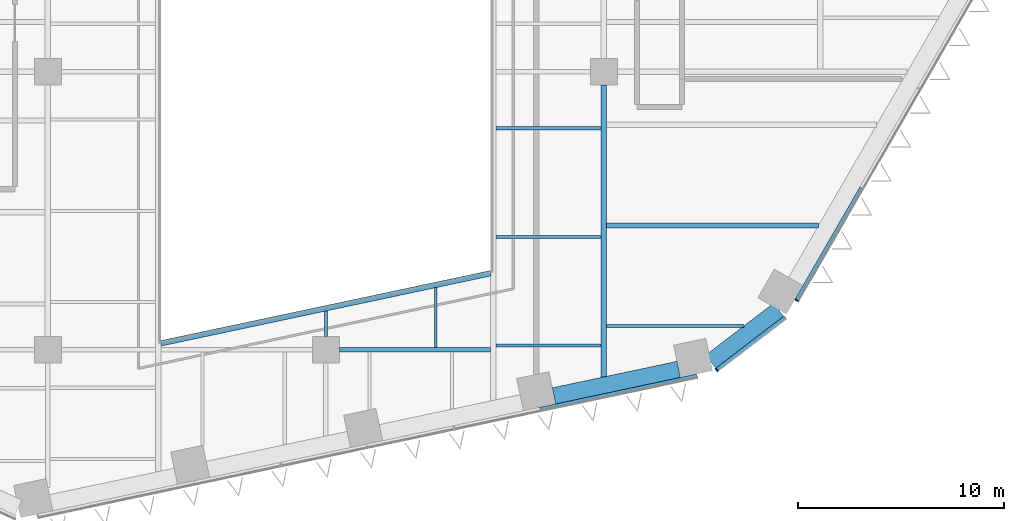
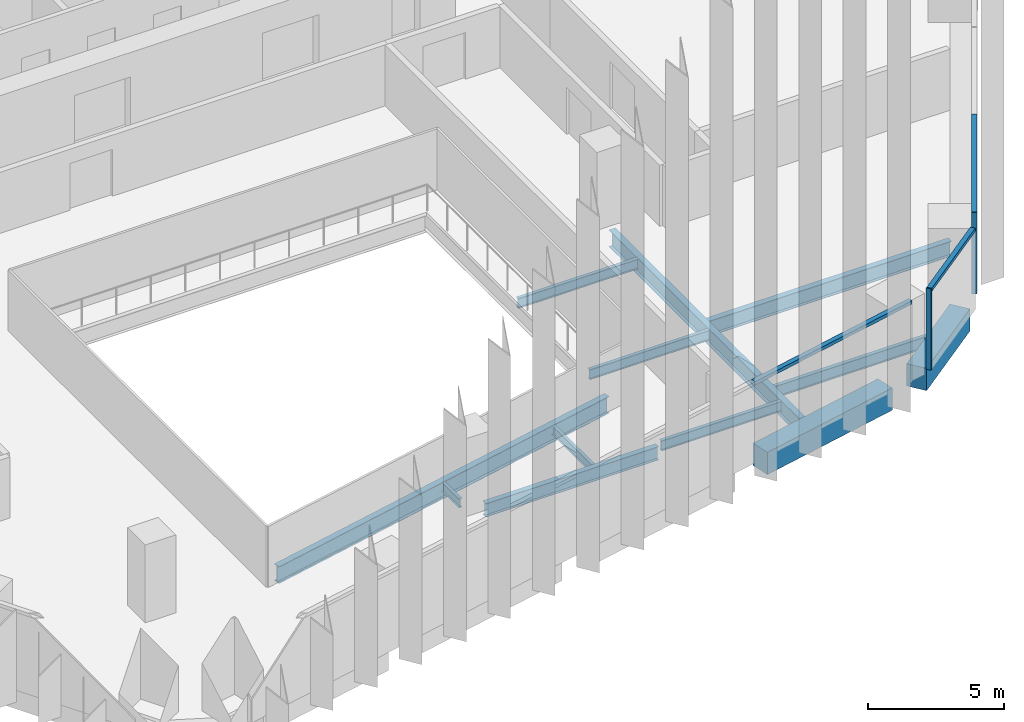
# One storey, part 5 of 24: 12 beams, 5 members, 3 elements without a shape of their own.
"""IFC4 building model written with IfcOpenShell, lengths in metres."""

from ifc_helpers import new_model, si_unit, direction, frame, origin, origin_2d, place, context, subcontext, project, spatial, rectangle, i_section, extrude, material, layer, layer_set, material_profile, profile_set, type_object, element, aggregate, save


model = new_model("IFC4")

# Units and contexts
model_context = context("Model", 3, precision=1e-05, world=origin(), true_north=direction((0.0, 1.0)))
body_context = subcontext(model_context, "Body", "Model", "MODEL_VIEW")
ifc_project = project(units=[si_unit("LENGTHUNIT", "METRE"), si_unit("AREAUNIT", "SQUARE_METRE"), si_unit("VOLUMEUNIT", "CUBIC_METRE"), si_unit("PLANEANGLEUNIT", "RADIAN"), si_unit("MASSUNIT", "GRAM", prefix="KILO")], contexts=[model_context])

# Site, building, storey
site_placement = place(None, origin())
site = spatial("IfcSite", under=ifc_project, at=site_placement, CompositionType="ELEMENT")
building_placement = place(site_placement, origin())
building = spatial("IfcBuilding", under=site, at=building_placement, Name="Isthmus Gate Tower", CompositionType="ELEMENT")
storey_placement = place(building_placement, frame((0.0, 0.0, 80.64990234375)))
storey = spatial("IfcBuildingStorey", under=building, at=storey_placement, Name="L18", CompositionType="ELEMENT", Elevation=80.64990234375)

# Curtain wall, member
ifc_material_1 = material(Name="Aluminium, pale champagne anodised", Category="aluminium")
ifc_layer = layer(ifc_material_1, 0.199951171875)
ifc_layer_set = layer_set([ifc_layer], Name="CW-1 UNITISED CURTAIN WALL 200 DEEP")
curtain_wall_type = type_object("IfcCurtainWallType", Name="CW-1 UNITISED CURTAIN WALL 200 DEEP", PredefinedType="NOTDEFINED", material=ifc_layer_set)
curtain_wall_1_placement = place(storey_placement, origin())
curtain_wall_1 = element("IfcCurtainWall", 1, at=curtain_wall_1_placement, inside=storey, type_object=curtain_wall_type, Name="CW-1 S-SE L18", PredefinedType="NOTDEFINED")
ifc_material_2 = material(Name="Aluminium, pale champagne anodised", Category="aluminium")
ifc_material_profile_1 = material_profile(ifc_material_2, rectangle(XDim=0.06005859375, YDim=0.199951171875, at=origin_2d()), Name="60x200")
ifc_profile_set_1 = profile_set([ifc_material_profile_1], Name="Aluminium, pale champagne anodised")
member_type_1 = type_object("IfcMemberType", Name="CW-1 MULLION 60 X 200", PredefinedType="MULLION", material=ifc_profile_set_1)
member_1_placement = place(storey_placement, frame((18.978759765625, -27.982421875, 0.0), z_axis=(0.0, 0.0, 1.0), x_axis=(0.794188594387, 0.607671355706, 0.0)))
member_1 = element("IfcMember", 2, at=member_1_placement, type_object=member_type_1, Name="CW-1 mullion", PredefinedType="MULLION", context=body_context, shape_type="SweptSolid", body=[
    extrude(rectangle(XDim=0.06005859375, YDim=0.199951171875, at=origin_2d()), origin(), (0.0, 0.0, 1.0), 3.650146484375),
])

curtain_wall_2_placement = place(storey_placement, origin())
curtain_wall_2 = element("IfcCurtainWall", 3, at=curtain_wall_2_placement, inside=storey, type_object=curtain_wall_type, Name="CW-1 SE L18", PredefinedType="NOTDEFINED")
member_2_placement = place(storey_placement, frame((22.863525390625, -24.599365234375, 0.0), z_axis=(0.0, 0.0, 1.0), x_axis=(0.5, 0.866025403784, 0.0)))
member_2 = element("IfcMember", 4, at=member_2_placement, type_object=member_type_1, Name="CW-1 mullion", PredefinedType="MULLION", context=body_context, shape_type="SweptSolid", body=[
    extrude(rectangle(XDim=0.06005859375, YDim=0.199951171875, at=origin_2d()), origin(), (0.0, 0.0, 1.0), 3.650146484375),
])

curtain_wall_3_placement = place(storey_placement, origin())
curtain_wall_3 = element("IfcCurtainWall", 5, at=curtain_wall_3_placement, inside=storey, type_object=curtain_wall_type, Name="CW-1 S L18", PredefinedType="NOTDEFINED")
ifc_material_3 = material(Name="Aluminium, pale champagne anodised", Category="aluminium")
ifc_material_profile_2 = material_profile(ifc_material_3, rectangle(XDim=0.199951171875, YDim=0.14990234375, at=origin_2d()), Name="200x150")
ifc_profile_set_2 = profile_set([ifc_material_profile_2], Name="Aluminium, pale champagne anodised")
member_type_2 = type_object("IfcMemberType", Name="CW-1 TRANSOM 200 X 150", PredefinedType="USERDEFINED", material=ifc_profile_set_2)
member_3_placement = place(storey_placement, frame((10.400146484375, -29.8916015625, 3.5751953125), z_axis=(0.978150565745, 0.207897741047, 0.0), x_axis=(-0.207897741047, 0.978150565745, 0.0)))
member_3 = element("IfcMember", 6, at=member_3_placement, type_object=member_type_2, Name="CW-1 transom", ObjectType="TRANSOM", PredefinedType="USERDEFINED", context=body_context, shape_type="SweptSolid", body=[
    extrude(rectangle(XDim=0.199951171875, YDim=0.14990234375, at=origin_2d()), origin(), (0.0, 0.0, 1.0), 7.789306640625),
])
aggregate(curtain_wall_3, [member_3])

# Member
member_4_placement = place(storey_placement, frame((19.002685546875, -27.96435546875, 3.5751953125), z_axis=(0.794175498212, 0.607688471209, 0.0), x_axis=(-0.607688471209, 0.794175498212, 0.0)))
member_4 = element("IfcMember", 7, at=member_4_placement, type_object=member_type_2, Name="CW-1 transom", ObjectType="TRANSOM", PredefinedType="USERDEFINED", context=body_context, shape_type="SweptSolid", body=[
    extrude(rectangle(XDim=0.199951171875, YDim=0.14990234375, at=origin_2d()), origin(), (0.0, 0.0, 1.0), 4.181396484375),
])

aggregate(curtain_wall_1, [member_1, member_4])

member_5_placement = place(storey_placement, frame((22.87841796875, -24.5732421875, 3.5751953125), z_axis=(0.50002426866, 0.866011391814, 0.0), x_axis=(-0.866011391814, 0.50002426866, 0.0)))
member_5 = element("IfcMember", 8, at=member_5_placement, type_object=member_type_2, Name="CW-1 transom", ObjectType="TRANSOM", PredefinedType="USERDEFINED", context=body_context, shape_type="SweptSolid", body=[
    extrude(rectangle(XDim=0.199951171875, YDim=0.14990234375, at=origin_2d()), origin(), (0.0, 0.0, 1.0), 6.278564453125),
])

aggregate(curtain_wall_2, [member_2, member_5])

# Beams
ifc_material_4 = material(Name="Concrete f'c 70 MPa", Category="concrete")
ifc_material_profile_3 = material_profile(ifc_material_4, rectangle(XDim=0.800048828125, YDim=1.0, at=origin_2d()), Name="RC 800X1000")
ifc_profile_set_3 = profile_set([ifc_material_profile_3], Name="Concrete f'c 70 MPa")
beam_type_1 = type_object("IfcBeamType", Name="RC SPANDREL 800 X 1000", PredefinedType="SPANDREL", material=ifc_profile_set_3)
beam_1_placement = place(storey_placement, frame((21.98681640625, -25.051513671875, -0.5), z_axis=(-0.794205941875, -0.607648682949, 0.0), x_axis=(0.607648682949, -0.794205941875, 0.0)))
element("IfcBeam", 9, at=beam_1_placement, inside=storey, type_object=beam_type_1, Name="str-spandrel-L18-09", PredefinedType="SPANDREL", context=body_context, shape_type="SweptSolid", body=[
    extrude(rectangle(XDim=0.800048828125, YDim=1.0, at=origin_2d()), origin(), (0.0, 0.0, 1.0), 4.15234375),
])
beam_2_placement = place(storey_placement, frame((17.1328125, -27.949462890625, -0.5), z_axis=(-0.978147421176, -0.207912535568, 0.0), x_axis=(0.207912535568, -0.978147421176, 0.0)))
element("IfcBeam", 10, at=beam_2_placement, inside=storey, type_object=beam_type_1, Name="str-spandrel-L18-10", PredefinedType="SPANDREL", context=body_context, shape_type="SweptSolid", body=[
    extrude(rectangle(XDim=0.800048828125, YDim=1.0, at=origin_2d()), origin(), (0.0, 0.0, 1.0), 6.189453125),
])
ifc_material_5 = material(Name="Structural steel ASTM A992 Gr 50", Category="steel")
ifc_material_profile_4 = material_profile(ifc_material_5, i_section(OverallWidth=0.1396484375, OverallDepth=0.4033203125, WebThickness=0.00634765625, FlangeThickness=0.010986328125, at=origin_2d()), Name="W16X31")
ifc_profile_set_4 = profile_set([ifc_material_profile_4], Name="Structural steel ASTM A992 Gr 50")
beam_type_2 = type_object("IfcBeamType", Name="STEEL FLOOR BEAM W16X31", PredefinedType="JOIST", material=ifc_profile_set_4)
beam_3_placement = place(storey_placement, frame((0.0, -26.35009765625, -0.3515625), z_axis=(0.0, 1.0, 0.0), x_axis=(-1.0, 0.0, 0.0)))
element("IfcBeam", 11, at=beam_3_placement, inside=storey, type_object=beam_type_2, Name="str-beam-L18-18-00", PredefinedType="JOIST", context=body_context, shape_type="SweptSolid", body=[
    extrude(i_section(OverallWidth=0.1396484375, OverallDepth=0.4033203125, WebThickness=0.00634765625, FlangeThickness=0.010986328125, at=origin_2d()), origin(), (0.0, 0.0, 1.0), 1.23388671875),
])
beam_4_placement = place(storey_placement, frame((5.333251953125, -26.8857421875, -0.3515625), z_axis=(0.0, 1.0, 0.0), x_axis=(-1.0, 0.0, 0.0)))
element("IfcBeam", 12, at=beam_4_placement, inside=storey, type_object=beam_type_2, Name="str-beam-L18-18-01", PredefinedType="JOIST", context=body_context, shape_type="SweptSolid", body=[
    extrude(i_section(OverallWidth=0.1396484375, OverallDepth=0.4033203125, WebThickness=0.00634765625, FlangeThickness=0.010986328125, at=origin_2d()), origin(), (0.0, 0.0, 1.0), 2.903076171875),
])
ifc_material_6 = material(Name="Structural steel ASTM A992 Gr 50", Category="steel")
ifc_material_profile_5 = material_profile(ifc_material_6, i_section(OverallWidth=0.15234375, OverallDepth=0.45068359375, WebThickness=0.0078125, FlangeThickness=0.010986328125, at=origin_2d()), Name="W18X35")
ifc_profile_set_5 = profile_set([ifc_material_profile_5], Name="Structural steel ASTM A992 Gr 50")
beam_type_3 = type_object("IfcBeamType", Name="STEEL FLOOR BEAM W18X35", PredefinedType="JOIST", material=ifc_profile_set_5)
for number, where, z_axis, x_axis, name in (
    (13, (8.263427734375, -26.788818359375, -0.375244140625), (1.0, 0.0, 0.0), (0.0, 1.0, 0.0), "str-beam-L18-23-00"),
    (14, (8.263427734375, -21.51513671875, -0.375244140625), (1.0, 0.0, 0.0), (0.0, 1.0, 0.0), "str-beam-L18-23-01"),
    (15, (8.263427734375, -16.241455078125, -0.375244140625), (1.0, 0.0, 0.0), (0.0, 1.0, 0.0), "str-beam-L18-23-02"),
):
    element("IfcBeam", number, at=place(storey_placement, frame(where, z_axis=z_axis, x_axis=x_axis)), inside=storey, type_object=beam_type_3, Name=name, PredefinedType="JOIST", context=body_context, shape_type="SweptSolid", body=[
        extrude(i_section(OverallWidth=0.15234375, OverallDepth=0.45068359375, WebThickness=0.0078125, FlangeThickness=0.010986328125, at=origin_2d()), origin(), (0.0, 0.0, 1.0), 5.103271484375),
    ])
ifc_material_7 = material(Name="Structural steel ASTM A992 Gr 50", Category="steel")
ifc_material_profile_6 = material_profile(ifc_material_7, i_section(OverallWidth=0.1650390625, OverallDepth=0.52392578125, WebThickness=0.009521484375, FlangeThickness=0.010986328125, at=origin_2d()), Name="W21X44")
ifc_profile_set_6 = profile_set([ifc_material_profile_6], Name="Structural steel ASTM A992 Gr 50")
beam_type_4 = type_object("IfcBeamType", Name="STEEL FLOOR BEAM W21X44", PredefinedType="JOIST", material=ifc_profile_set_6)
beam_5_placement = place(storey_placement, frame((13.63330078125, -25.842529296875, -0.411865234375), z_axis=(1.0, 0.0, 0.0), x_axis=(0.0, 1.0, 0.0)))
element("IfcBeam", 16, at=beam_5_placement, inside=storey, type_object=beam_type_4, Name="str-beam-L18-28-00", PredefinedType="JOIST", context=body_context, shape_type="SweptSolid", body=[
    extrude(i_section(OverallWidth=0.1650390625, OverallDepth=0.52392578125, WebThickness=0.009521484375, FlangeThickness=0.010986328125, at=origin_2d()), origin(), (0.0, 0.0, 1.0), 6.661376953125),
])
ifc_material_8 = material(Name="Structural steel ASTM A992 Gr 50", Category="steel")
ifc_material_profile_7 = material_profile(ifc_material_8, i_section(OverallWidth=0.25390625, OverallDepth=0.679443359375, WebThickness=0.010986328125, FlangeThickness=0.015869140625, at=origin_2d()), Name="W27X84")
ifc_profile_set_7 = profile_set([ifc_material_profile_7], Name="Structural steel ASTM A992 Gr 50")
beam_type_5 = type_object("IfcBeamType", Name="STEEL FLOOR BEAM W27X84", PredefinedType="JOIST", material=ifc_profile_set_7)
beam_6_placement = place(storey_placement, frame((13.63330078125, -20.958740234375, -0.489501953125), z_axis=(1.0, 0.0, 0.0), x_axis=(0.0, 1.0, 0.0)))
element("IfcBeam", 17, at=beam_6_placement, inside=storey, type_object=beam_type_5, Name="str-beam-L18-28-01", PredefinedType="JOIST", context=body_context, shape_type="SweptSolid", body=[
    extrude(i_section(OverallWidth=0.25390625, OverallDepth=0.679443359375, WebThickness=0.010986328125, FlangeThickness=0.015869140625, at=origin_2d()), origin(), (0.0, 0.0, 1.0), 10.292724609375),
])
ifc_material_9 = material(Name="Structural steel ASTM A992 Gr 50", Category="steel")
ifc_material_profile_8 = material_profile(ifc_material_9, i_section(OverallWidth=0.228515625, OverallDepth=0.603271484375, WebThickness=0.010986328125, FlangeThickness=0.014404296875, at=origin_2d()), Name="W24X68")
ifc_profile_set_8 = profile_set([ifc_material_profile_8], Name="Structural steel ASTM A992 Gr 50")
beam_type_6 = type_object("IfcBeamType", Name="STEEL GIRDER W24X68", PredefinedType="BEAM", material=ifc_profile_set_8)
beam_7_placement = place(storey_placement, frame((0.64990234375, -27.0, -0.451416015625), z_axis=(1.0, 0.0, 0.0), x_axis=(0.0, 1.0, 0.0)))
element("IfcBeam", 18, at=beam_7_placement, inside=storey, type_object=beam_type_6, Name="str-girder-L18-04", PredefinedType="BEAM", context=body_context, shape_type="SweptSolid", body=[
    extrude(i_section(OverallWidth=0.228515625, OverallDepth=0.603271484375, WebThickness=0.010986328125, FlangeThickness=0.014404296875, at=origin_2d()), origin(), (0.0, 0.0, 1.0), 7.35009765625),
])
ifc_material_10 = material(Name="Structural steel ASTM A992 Gr 50", Category="steel")
ifc_material_profile_9 = material_profile(ifc_material_10, i_section(OverallWidth=0.2666015625, OverallDepth=0.7587890625, WebThickness=0.014404296875, FlangeThickness=0.01904296875, at=origin_2d()), Name="W30X108")
ifc_profile_set_9 = profile_set([ifc_material_profile_9], Name="Structural steel ASTM A992 Gr 50")
beam_type_7 = type_object("IfcBeamType", Name="STEEL GIRDER W30X108", PredefinedType="BEAM", material=ifc_profile_set_9)
beam_8_placement = place(storey_placement, frame((13.5, -28.3125, -0.529296875), z_axis=(0.0, 1.0, 0.0), x_axis=(-1.0, 0.0, 0.0)))
element("IfcBeam", 19, at=beam_8_placement, inside=storey, type_object=beam_type_7, Name="str-girder-L18-32", PredefinedType="BEAM", context=body_context, shape_type="SweptSolid", body=[
    extrude(i_section(OverallWidth=0.2666015625, OverallDepth=0.7587890625, WebThickness=0.014404296875, FlangeThickness=0.01904296875, at=origin_2d()), origin(), (0.0, 0.0, 1.0), 14.16259765625),
])
ifc_material_11 = material(Name="Structural steel ASTM A992 Gr 50", Category="steel")
ifc_material_profile_10 = material_profile(ifc_material_11, i_section(OverallWidth=0.2666015625, OverallDepth=0.7587890625, WebThickness=0.014404296875, FlangeThickness=0.01904296875, at=origin_2d()), Name="W30X108")
ifc_profile_set_10 = profile_set([ifc_material_profile_10], Name="Structural steel ASTM A992 Gr 50")
beam_type_8 = type_object("IfcBeamType", Name="STEEL TRIMMER W30X108", PredefinedType="BEAM", material=ifc_profile_set_10)
beam_9_placement = place(storey_placement, frame((-8.0, -26.680419921875, -0.529296875), z_axis=(0.978147924985, 0.20791016533, 0.0), x_axis=(-0.20791016533, 0.978147924985, 0.0)))
element("IfcBeam", 20, at=beam_9_placement, inside=storey, type_object=beam_type_8, Name="str-trimmer-L18-03", PredefinedType="BEAM", context=body_context, shape_type="SweptSolid", body=[
    extrude(i_section(OverallWidth=0.2666015625, OverallDepth=0.7587890625, WebThickness=0.014404296875, FlangeThickness=0.01904296875, at=origin_2d()), origin(), (0.0, 0.0, 1.0), 16.357421875),
])

save(model, "model.ifc")
